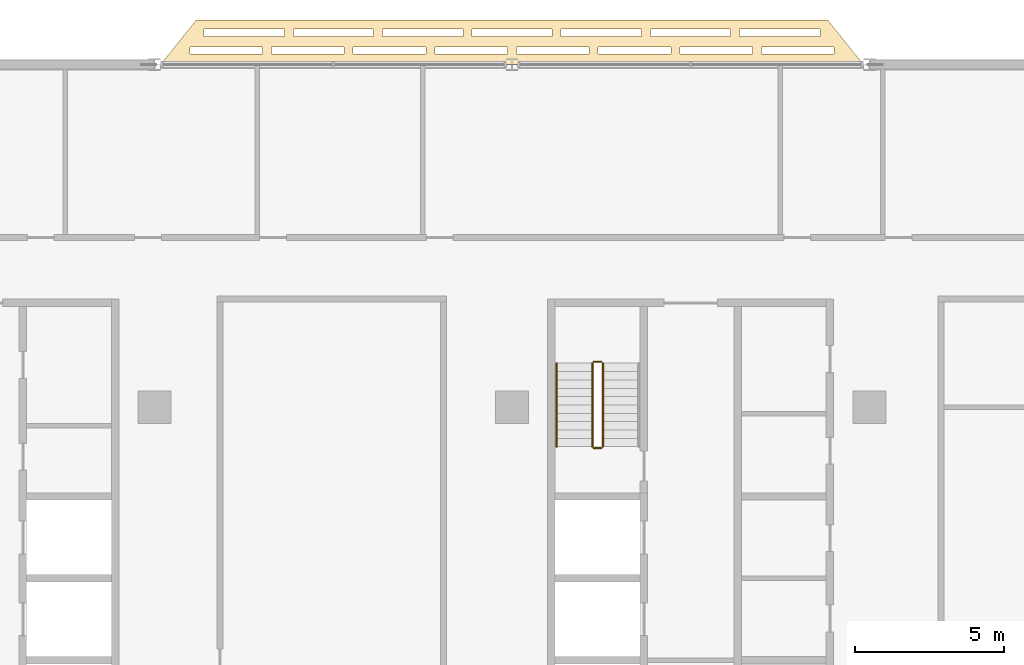
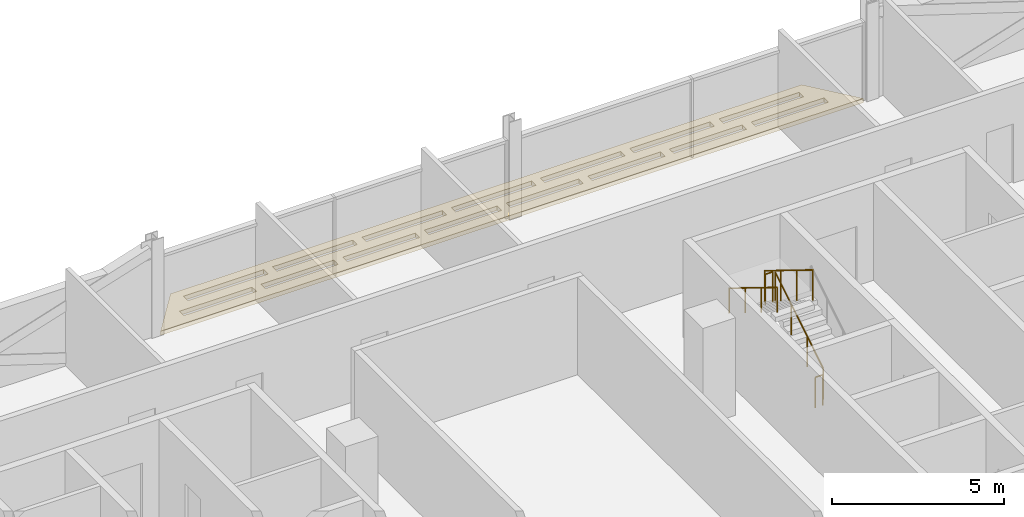
# One storey, part 28 of 30: 5 railings, 1 covering.
"""IFC4 building model written with IfcOpenShell, lengths in metres."""

from ifc_helpers import new_model, si_unit, direction, frame, origin, origin_2d, place, context, subcontext, project, spatial, polyline, circle, outline, extrude, material, layer, layer_set, type_object, element, save


model = new_model("IFC4")

# Units and contexts
model_context = context("Model", 3, precision=1e-05, world=origin(), true_north=direction((0.0, 1.0)))
body_context = subcontext(model_context, "Body", "Model", "MODEL_VIEW")
ifc_project = project(units=[si_unit("LENGTHUNIT", "METRE"), si_unit("AREAUNIT", "SQUARE_METRE"), si_unit("VOLUMEUNIT", "CUBIC_METRE"), si_unit("PLANEANGLEUNIT", "RADIAN"), si_unit("MASSUNIT", "GRAM", prefix="KILO")], contexts=[model_context])

# Site, building, storey
site_placement = place(None, origin())
site = spatial("IfcSite", under=ifc_project, at=site_placement, CompositionType="ELEMENT")
building_placement = place(site_placement, origin())
building = spatial("IfcBuilding", under=site, at=building_placement, Name="Mahtab Terrace Research Tower", CompositionType="ELEMENT")
storey_placement = place(building_placement, frame((0.0, 0.0, 201.5)))
storey = spatial("IfcBuildingStorey", under=building, at=storey_placement, Name="L48", CompositionType="ELEMENT", Elevation=201.5)

# Covering
ifc_material_1 = material(Name="Black anodised aluminium", Category="aluminium")
ifc_layer = layer(ifc_material_1, 0.14990234375)
ifc_layer_set = layer_set([ifc_layer], Name="Horizontal sunshade band")
covering_type = type_object("IfcCoveringType", Name="Horizontal sunshade band", PredefinedType="CLADDING", material=ifc_layer_set)
covering_placement = place(storey_placement, frame((0.0, 0.0, -0.14990234375)))
element("IfcCovering", 1, at=covering_placement, inside=storey, type_object=covering_type, Name="Sunshade band L48 5", PredefinedType="CLADDING", context=body_context, shape_type="SweptSolid", body=[
    extrude(outline(polyline([(29.800048828125, 23.0), (6.199951171875, 23.0), (7.39990234375, 24.5), (28.60009765625, 24.5), (29.800048828125, 23.0)]), holes=[polyline([(28.820068359375, 23.35009765625), (26.3779296875, 23.35009765625), (26.3779296875, 23.60009765625), (28.820068359375, 23.60009765625), (28.820068359375, 23.35009765625)]), polyline([(26.077880859375, 23.35009765625), (23.635009765625, 23.35009765625), (23.635009765625, 23.60009765625), (26.077880859375, 23.60009765625), (26.077880859375, 23.35009765625)]), polyline([(23.3349609375, 23.35009765625), (20.89306640625, 23.35009765625), (20.89306640625, 23.60009765625), (23.3349609375, 23.60009765625), (23.3349609375, 23.35009765625)]), polyline([(20.593017578125, 23.35009765625), (18.14990234375, 23.35009765625), (18.14990234375, 23.60009765625), (20.593017578125, 23.60009765625), (20.593017578125, 23.35009765625)]), polyline([(17.85009765625, 23.35009765625), (15.406982421875, 23.35009765625), (15.406982421875, 23.60009765625), (17.85009765625, 23.60009765625), (17.85009765625, 23.35009765625)]), polyline([(15.10791015625, 23.35009765625), (12.6650390625, 23.35009765625), (12.6650390625, 23.60009765625), (15.10791015625, 23.60009765625), (15.10791015625, 23.35009765625)]), polyline([(12.364990234375, 23.35009765625), (9.922119140625, 23.35009765625), (9.922119140625, 23.60009765625), (12.364990234375, 23.60009765625), (12.364990234375, 23.35009765625)]), polyline([(9.623046875, 23.35009765625), (7.179931640625, 23.35009765625), (7.179931640625, 23.60009765625), (9.623046875, 23.60009765625), (9.623046875, 23.35009765625)]), polyline([(28.340087890625, 23.949951171875), (25.64306640625, 23.949951171875), (25.64306640625, 24.199951171875), (28.340087890625, 24.199951171875), (28.340087890625, 23.949951171875)]), polyline([(25.343017578125, 23.949951171875), (22.64599609375, 23.949951171875), (22.64599609375, 24.199951171875), (25.343017578125, 24.199951171875), (25.343017578125, 23.949951171875)]), polyline([(22.345947265625, 23.949951171875), (19.64892578125, 23.949951171875), (19.64892578125, 24.199951171875), (22.345947265625, 24.199951171875), (22.345947265625, 23.949951171875)]), polyline([(19.34912109375, 23.949951171875), (16.65087890625, 23.949951171875), (16.65087890625, 24.199951171875), (19.34912109375, 24.199951171875), (19.34912109375, 23.949951171875)]), polyline([(16.35107421875, 23.949951171875), (13.654052734375, 23.949951171875), (13.654052734375, 24.199951171875), (16.35107421875, 24.199951171875), (16.35107421875, 23.949951171875)]), polyline([(13.35400390625, 23.949951171875), (10.656982421875, 23.949951171875), (10.656982421875, 24.199951171875), (13.35400390625, 24.199951171875), (13.35400390625, 23.949951171875)]), polyline([(10.35693359375, 23.949951171875), (7.659912109375, 23.949951171875), (7.659912109375, 24.199951171875), (10.35693359375, 24.199951171875), (10.35693359375, 23.949951171875)])]), origin(), (0.0, 0.0, 1.0), 0.14990234375),
])

# Railings
ifc_material_2 = material(Name="Stainless steel AISI 304", Category="steel")
railing_type_1 = type_object("IfcRailingType", Name="Stair guard 1100", PredefinedType="GUARDRAIL", material=ifc_material_2)
railing_1_placement = place(storey_placement, frame((21.050048828125, 10.175048828125, 0.172607421875)))
element("IfcRailing", 2, at=railing_1_placement, inside=storey, type_object=railing_type_1, Name="L48 ST3 stair guard 1", PredefinedType="GUARDRAIL", context=body_context, shape_type="SweptSolid", body=[
    extrude(circle(Radius=0.02392578125, at=origin_2d()), frame((0.0, 0.0, 1.076171875), z_axis=(0.0, 0.851089632645, 0.525020415988), x_axis=(-1.0, 0.0, 0.0)), (0.0, 0.0, 1.0), 3.2900390625),
    extrude(circle(Radius=0.02099609375, at=origin_2d()), origin(), (0.0, 0.0, 1.0), 1.052001953125),
    extrude(circle(Radius=0.02099609375, at=origin_2d()), frame((0.0, 0.933349609375, 0.57568359375)), (0.0, 0.0, 1.0), 1.052001953125),
    extrude(circle(Radius=0.02099609375, at=origin_2d()), frame((0.0, 1.86669921875, 1.151611328125)), (0.0, 0.0, 1.0), 1.052001953125),
    extrude(circle(Radius=0.02099609375, at=origin_2d()), frame((0.0, 2.800048828125, 1.727294921875)), (0.0, 0.0, 1.0), 1.052001953125),
])
railing_2_placement = place(storey_placement, frame((21.0, 13.02490234375, 1.89990234375)))
element("IfcRailing", 3, at=railing_2_placement, inside=storey, type_object=railing_type_1, Name="L48 ST3 stair guard 2", PredefinedType="GUARDRAIL", context=body_context, shape_type="SweptSolid", body=[
    extrude(circle(Radius=0.02392578125, at=origin_2d()), frame((0.0, 0.0, 1.076171875), z_axis=(-1.0, 0.0, 0.0), x_axis=(0.0, -1.0, 0.0)), (0.0, 0.0, 1.0), 0.25),
    extrude(circle(Radius=0.02099609375, at=origin_2d()), origin(), (0.0, 0.0, 1.0), 1.052001953125),
    extrude(circle(Radius=0.02099609375, at=origin_2d()), frame((-0.25, 0.0, 0.0)), (0.0, 0.0, 1.0), 1.052001953125),
])
railing_3_placement = place(storey_placement, frame((20.699951171875, 12.97509765625, 2.07275390625)))
element("IfcRailing", 4, at=railing_3_placement, inside=storey, type_object=railing_type_1, Name="L48 ST3 stair guard 3", PredefinedType="GUARDRAIL", context=body_context, shape_type="SweptSolid", body=[
    extrude(circle(Radius=0.02392578125, at=origin_2d()), frame((0.0, 0.0, 1.076171875), z_axis=(0.0, -0.851089632645, 0.525020415988), x_axis=(1.0, 0.0, 0.0)), (0.0, 0.0, 1.0), 3.2900390625),
    extrude(circle(Radius=0.02099609375, at=origin_2d()), origin(), (0.0, 0.0, 1.0), 1.052001953125),
    extrude(circle(Radius=0.02099609375, at=origin_2d()), frame((0.0, -0.933349609375, 0.57568359375)), (0.0, 0.0, 1.0), 1.052001953125),
    extrude(circle(Radius=0.02099609375, at=origin_2d()), frame((0.0, -1.86669921875, 1.151611328125)), (0.0, 0.0, 1.0), 1.052001953125),
    extrude(circle(Radius=0.02099609375, at=origin_2d()), frame((0.0, -2.800048828125, 1.727294921875)), (0.0, 0.0, 1.0), 1.052001953125),
])
railing_4_placement = place(storey_placement, frame((21.0, 10.125, 0.0)))
element("IfcRailing", 5, at=railing_4_placement, inside=storey, type_object=railing_type_1, Name="L48 ST3 stair guard 4", PredefinedType="GUARDRAIL", context=body_context, shape_type="SweptSolid", body=[
    extrude(circle(Radius=0.02392578125, at=origin_2d()), frame((0.0, 0.0, 1.076171875), z_axis=(-1.0, 0.0, 0.0), x_axis=(0.0, -1.0, 0.0)), (0.0, 0.0, 1.0), 0.25),
    extrude(circle(Radius=0.02099609375, at=origin_2d()), origin(), (0.0, 0.0, 1.0), 1.052001953125),
    extrude(circle(Radius=0.02099609375, at=origin_2d()), frame((-0.25, 0.0, 0.0)), (0.0, 0.0, 1.0), 1.052001953125),
])
railing_type_2 = type_object("IfcRailingType", Name="Stair handrail 900", PredefinedType="HANDRAIL", material=ifc_material_2)
railing_5_placement = place(storey_placement, frame((19.5, 12.97509765625, 2.07275390625)))
element("IfcRailing", 6, at=railing_5_placement, inside=storey, type_object=railing_type_2, Name="L48 ST3 stair handrail 2", PredefinedType="HANDRAIL", context=body_context, shape_type="SweptSolid", body=[
    extrude(circle(Radius=0.02392578125, at=origin_2d()), frame((0.0, 0.0, 0.8759765625), z_axis=(0.0, -0.851089632645, 0.525020415988), x_axis=(1.0, 0.0, 0.0)), (0.0, 0.0, 1.0), 3.2900390625),
    extrude(circle(Radius=0.02099609375, at=origin_2d()), origin(), (0.0, 0.0, 1.0), 0.851806640625),
    extrude(circle(Radius=0.02099609375, at=origin_2d()), frame((0.0, -0.933349609375, 0.57568359375)), (0.0, 0.0, 1.0), 0.851806640625),
    extrude(circle(Radius=0.02099609375, at=origin_2d()), frame((0.0, -1.86669921875, 1.151611328125)), (0.0, 0.0, 1.0), 0.851806640625),
    extrude(circle(Radius=0.02099609375, at=origin_2d()), frame((0.0, -2.800048828125, 1.727294921875)), (0.0, 0.0, 1.0), 0.851806640625),
])

save(model, "model.ifc")
